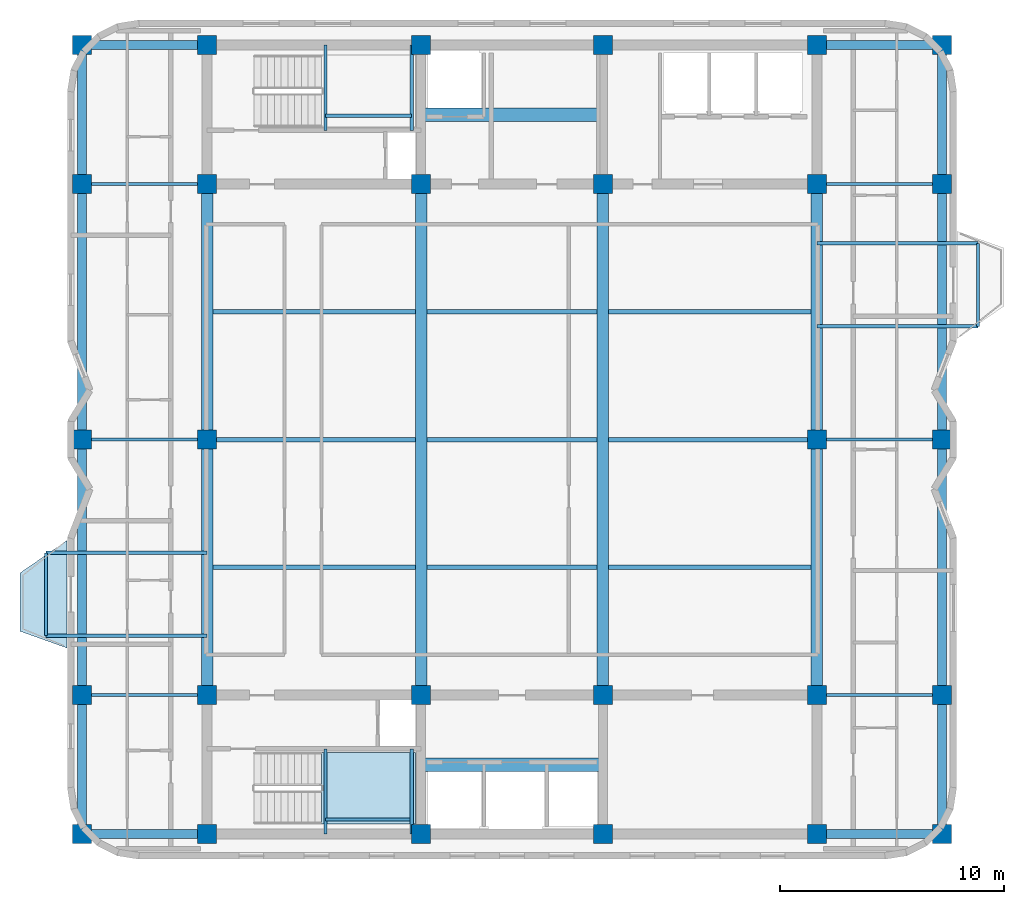
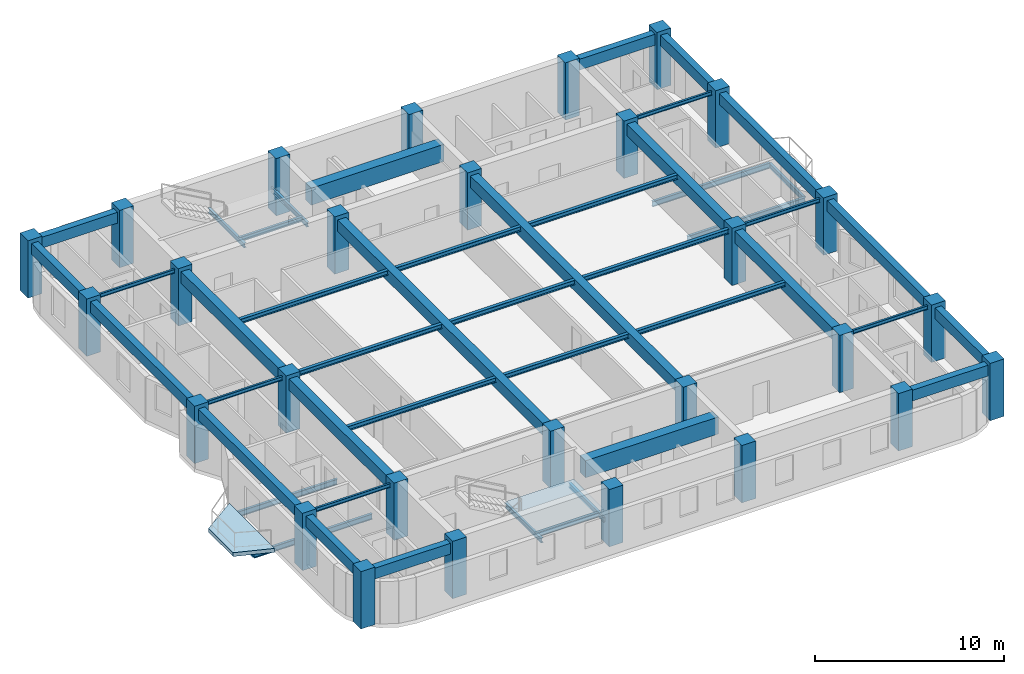
# One storey, part 1 of 8: 47 beams, 28 columns, 2 slabs, 1 element without a shape of its own.
"""IFC4 building model written with IfcOpenShell, lengths in metres."""

from ifc_helpers import new_model, si_unit, direction, frame, origin, origin_2d, place, context, subcontext, project, spatial, polyline, rectangle, i_section, outline, extrude, material, layer, layer_set, material_profile, profile_set, type_object, element, aggregate, save


model = new_model("IFC4")

# Units and contexts
model_context = context("Model", 3, precision=1e-05, world=origin(), true_north=direction((0.0, 1.0)))
body_context = subcontext(model_context, "Body", "Model", "MODEL_VIEW")
ifc_project = project(units=[si_unit("LENGTHUNIT", "METRE"), si_unit("AREAUNIT", "SQUARE_METRE"), si_unit("VOLUMEUNIT", "CUBIC_METRE"), si_unit("PLANEANGLEUNIT", "RADIAN"), si_unit("MASSUNIT", "GRAM", prefix="KILO")], contexts=[model_context])

# Site, building, storey
site_placement = place(None, origin())
site = spatial("IfcSite", under=ifc_project, at=site_placement, CompositionType="ELEMENT")
building_placement = place(site_placement, origin())
building = spatial("IfcBuilding", under=site, at=building_placement, Name="Svetorya Sky Lyceum", CompositionType="ELEMENT")
storey_placement = place(building_placement, frame((0.0, 0.0, 233.199951171875)))
storey = spatial("IfcBuildingStorey", under=building, at=storey_placement, Name="L58", CompositionType="ELEMENT", Elevation=233.199951171875)

# Columns
ifc_material_1 = material(Name="Concrete C50/60", Category="concrete")
ifc_material_profile_1 = material_profile(ifc_material_1, rectangle(XDim=0.85009765625, YDim=0.85009765625, at=origin_2d()), Name="RC COL 850x850")
ifc_profile_set_1 = profile_set([ifc_material_profile_1], Name="Concrete C50/60")
column_type = type_object("IfcColumnType", Name="COL-RC-850", PredefinedType="COLUMN", material=ifc_profile_set_1)
for number, where, z_axis, x_axis, name in (
    (1, (25.60009765625, 10.60009765625, 0.0), (0.0, 0.0, 1.0), (1.0, 0.0, 0.0), "L58 Core Column CS-11"),
    (2, (25.60009765625, 16.800048828125, 0.0), (0.0, 0.0, 1.0), (1.0, 0.0, 0.0), "L58 Core Column CS-12"),
    (3, (35.14990234375, 10.60009765625, 0.0), (0.0, 0.0, 1.0), (1.0, 0.0, 0.0), "L58 Core Column CS-21"),
    (4, (35.14990234375, 16.800048828125, 0.0), (0.0, 0.0, 1.0), (1.0, 0.0, 0.0), "L58 Core Column CS-22"),
    (5, (43.25, 10.60009765625, 0.0), (0.0, 0.0, 1.0), (1.0, 0.0, 0.0), "L58 Core Column CS-31"),
    (6, (43.25, 16.800048828125, 0.0), (0.0, 0.0, 1.0), (1.0, 0.0, 0.0), "L58 Core Column CS-32"),
    (7, (52.800048828125, 10.60009765625, 0.0), (0.0, 0.0, 1.0), (1.0, 0.0, 0.0), "L58 Core Column CS-41"),
    (8, (52.800048828125, 16.800048828125, 0.0), (0.0, 0.0, 1.0), (1.0, 0.0, 0.0), "L58 Core Column CS-42"),
    (9, (25.60009765625, 39.60009765625, 0.0), (0.0, 0.0, 1.0), (1.0, 0.0, 0.0), "L58 Core Column CN-11"),
    (10, (25.60009765625, 45.800048828125, 0.0), (0.0, 0.0, 1.0), (1.0, 0.0, 0.0), "L58 Core Column CN-12"),
    (11, (35.14990234375, 39.60009765625, 0.0), (0.0, 0.0, 1.0), (1.0, 0.0, 0.0), "L58 Core Column CN-21"),
    (12, (35.14990234375, 45.800048828125, 0.0), (0.0, 0.0, 1.0), (1.0, 0.0, 0.0), "L58 Core Column CN-22"),
    (13, (43.25, 39.60009765625, 0.0), (0.0, 0.0, 1.0), (1.0, 0.0, 0.0), "L58 Core Column CN-31"),
    (14, (43.25, 45.800048828125, 0.0), (0.0, 0.0, 1.0), (1.0, 0.0, 0.0), "L58 Core Column CN-32"),
    (15, (52.800048828125, 39.60009765625, 0.0), (0.0, 0.0, 1.0), (1.0, 0.0, 0.0), "L58 Core Column CN-41"),
    (16, (52.800048828125, 45.800048828125, 0.0), (0.0, 0.0, 1.0), (1.0, 0.0, 0.0), "L58 Core Column CN-42"),
    (17, (25.60009765625, 28.199951171875, 0.0), (0.0, 0.0, 1.0), (1.0, 0.0, 0.0), "L58 Core Column CM-W"),
    (18, (52.800048828125, 28.199951171875, 0.0), (0.0, 0.0, 1.0), (1.0, 0.0, 0.0), "L58 Core Column CM-E"),
    (19, (20.010009765625, 10.60009765625, 0.0), (0.0, 0.0, 1.0), (1.0, 0.0, 0.0), "L58 Perimeter Column W1"),
    (20, (58.389892578125, 10.60009765625, 0.0), (0.0, 0.0, 1.0), (1.0, 0.0, 0.0), "L58 Perimeter Column E1"),
    (21, (20.010009765625, 16.800048828125, 0.0), (0.0, 0.0, 1.0), (1.0, 0.0, 0.0), "L58 Perimeter Column W2"),
    (22, (58.389892578125, 16.800048828125, 0.0), (0.0, 0.0, 1.0), (1.0, 0.0, 0.0), "L58 Perimeter Column E2"),
    (23, (20.010009765625, 28.199951171875, 0.0), (0.0, 0.0, 1.0), (1.0, 0.0, 0.0), "L58 Perimeter Column W3"),
    (24, (58.389892578125, 28.199951171875, 0.0), (0.0, 0.0, 1.0), (1.0, 0.0, 0.0), "L58 Perimeter Column E3"),
    (25, (20.010009765625, 39.60009765625, 0.0), (0.0, 0.0, 1.0), (1.0, 0.0, 0.0), "L58 Perimeter Column W4"),
    (26, (58.389892578125, 39.60009765625, 0.0), (0.0, 0.0, 1.0), (1.0, 0.0, 0.0), "L58 Perimeter Column E4"),
    (27, (20.010009765625, 45.800048828125, 0.0), (0.0, 0.0, 1.0), (1.0, 0.0, 0.0), "L58 Perimeter Column W5"),
    (28, (58.389892578125, 45.800048828125, 0.0), (0.0, 0.0, 1.0), (1.0, 0.0, 0.0), "L58 Perimeter Column E5"),
):
    element("IfcColumn", number, at=place(storey_placement, frame(where, z_axis=z_axis, x_axis=x_axis)), inside=storey, type_object=column_type, Name=name, PredefinedType="COLUMN", context=body_context, shape_type="SweptSolid", body=[
        extrude(rectangle(XDim=0.85009765625, YDim=0.85009765625, at=origin_2d()), origin(), (0.0, 0.0, 1.0), 3.699951171875),
    ])

# Beams
ifc_material_2 = material(Name="Concrete C60/75", Category="concrete")
ifc_material_profile_2 = material_profile(ifc_material_2, rectangle(XDim=0.60009765625, YDim=1.10009765625, at=origin_2d()), Name="RC COUPLING 600x1100")
ifc_profile_set_2 = profile_set([ifc_material_profile_2], Name="Concrete C60/75")
beam_type_1 = type_object("IfcBeamType", Name="BM-CPL-1100", PredefinedType="LINTEL", material=ifc_profile_set_2)
for number, where, z_axis, x_axis, name in (
    (29, (35.14990234375, 13.699951171875, 2.900146484375), (1.0, 0.0, 0.0), (0.0, 1.0, 0.0), "L58 SC Core Coupling Beam"),
    (30, (35.14990234375, 42.699951171875, 2.900146484375), (1.0, 0.0, 0.0), (0.0, 1.0, 0.0), "L58 NC Core Coupling Beam"),
):
    element("IfcBeam", number, at=place(storey_placement, frame(where, z_axis=z_axis, x_axis=x_axis)), inside=storey, type_object=beam_type_1, Name=name, PredefinedType="LINTEL", context=body_context, shape_type="SweptSolid", body=[
        extrude(rectangle(XDim=0.60009765625, YDim=1.10009765625, at=origin_2d()), origin(), (0.0, 0.0, 1.0), 8.10009765625),
    ])
ifc_material_profile_3 = material_profile(ifc_material_1, rectangle(XDim=0.5, YDim=0.75, at=origin_2d()), Name="RC BEAM 500x750")
ifc_profile_set_3 = profile_set([ifc_material_profile_3], Name="Concrete C50/60")
beam_type_2 = type_object("IfcBeamType", Name="BM-RC-750", PredefinedType="BEAM", material=ifc_profile_set_3)
beam_1_placement = place(storey_placement, frame((25.60009765625, 16.800048828125, 3.074951171875), z_axis=(0.0, 1.0, 0.0), x_axis=(-1.0, 0.0, 0.0)))
element("IfcBeam", 31, at=beam_1_placement, inside=storey, type_object=beam_type_2, Name="L58 Central Bay Primary Girder CG-1A", PredefinedType="BEAM", context=body_context, shape_type="SweptSolid", body=[
    extrude(rectangle(XDim=0.5, YDim=0.75, at=origin_2d()), origin(), (0.0, 0.0, 1.0), 11.39990234375),
])
beam_2_placement = place(storey_placement, frame((25.60009765625, 28.199951171875, 3.074951171875), z_axis=(0.0, 1.0, 0.0), x_axis=(-1.0, 0.0, 0.0)))
element("IfcBeam", 32, at=beam_2_placement, inside=storey, type_object=beam_type_2, Name="L58 Central Bay Primary Girder CG-1B", PredefinedType="BEAM", context=body_context, shape_type="SweptSolid", body=[
    extrude(rectangle(XDim=0.5, YDim=0.75, at=origin_2d()), origin(), (0.0, 0.0, 1.0), 11.400146484375),
])
for number, where, z_axis, x_axis, name in (
    (33, (35.14990234375, 16.800048828125, 3.074951171875), (0.0, 1.0, 0.0), (-1.0, 0.0, 0.0), "L58 Central Bay Primary Girder CG-2"),
    (34, (43.25, 16.800048828125, 3.074951171875), (0.0, 1.0, 0.0), (-1.0, 0.0, 0.0), "L58 Central Bay Primary Girder CG-3"),
):
    element("IfcBeam", number, at=place(storey_placement, frame(where, z_axis=z_axis, x_axis=x_axis)), inside=storey, type_object=beam_type_2, Name=name, PredefinedType="BEAM", context=body_context, shape_type="SweptSolid", body=[
        extrude(rectangle(XDim=0.5, YDim=0.75, at=origin_2d()), origin(), (0.0, 0.0, 1.0), 22.800048828125),
    ])
beam_3_placement = place(storey_placement, frame((52.800048828125, 16.800048828125, 3.074951171875), z_axis=(0.0, 1.0, 0.0), x_axis=(-1.0, 0.0, 0.0)))
element("IfcBeam", 35, at=beam_3_placement, inside=storey, type_object=beam_type_2, Name="L58 Central Bay Primary Girder CG-4A", PredefinedType="BEAM", context=body_context, shape_type="SweptSolid", body=[
    extrude(rectangle(XDim=0.5, YDim=0.75, at=origin_2d()), origin(), (0.0, 0.0, 1.0), 11.39990234375),
])
beam_4_placement = place(storey_placement, frame((52.800048828125, 28.199951171875, 3.074951171875), z_axis=(0.0, 1.0, 0.0), x_axis=(-1.0, 0.0, 0.0)))
element("IfcBeam", 36, at=beam_4_placement, inside=storey, type_object=beam_type_2, Name="L58 Central Bay Primary Girder CG-4B", PredefinedType="BEAM", context=body_context, shape_type="SweptSolid", body=[
    extrude(rectangle(XDim=0.5, YDim=0.75, at=origin_2d()), origin(), (0.0, 0.0, 1.0), 11.400146484375),
])
ifc_material_profile_4 = material_profile(ifc_material_1, rectangle(XDim=0.39990234375, YDim=0.699951171875, at=origin_2d()), Name="RC SPANDREL 400x700")
ifc_profile_set_4 = profile_set([ifc_material_profile_4], Name="Concrete C50/60")
beam_type_3 = type_object("IfcBeamType", Name="BM-SPN-700", PredefinedType="SPANDREL", material=ifc_profile_set_4)
for number, where, z_axis, x_axis, name in (
    (37, (20.010009765625, 10.60009765625, 3.10009765625), (1.0, 0.0, 0.0), (0.0, 1.0, 0.0), "L58 Tie Spandrel SW"),
    (38, (20.010009765625, 45.800048828125, 3.10009765625), (1.0, 0.0, 0.0), (0.0, 1.0, 0.0), "L58 Tie Spandrel NW"),
):
    element("IfcBeam", number, at=place(storey_placement, frame(where, z_axis=z_axis, x_axis=x_axis)), inside=storey, type_object=beam_type_3, Name=name, PredefinedType="SPANDREL", context=body_context, shape_type="SweptSolid", body=[
        extrude(rectangle(XDim=0.39990234375, YDim=0.699951171875, at=origin_2d()), origin(), (0.0, 0.0, 1.0), 5.590087890625),
    ])
for number, where, z_axis, x_axis, name in (
    (39, (52.800048828125, 10.60009765625, 3.10009765625), (1.0, 0.0, 0.0), (0.0, 1.0, 0.0), "L58 Tie Spandrel SE"),
    (40, (52.800048828125, 45.800048828125, 3.10009765625), (1.0, 0.0, 0.0), (0.0, 1.0, 0.0), "L58 Tie Spandrel NE"),
):
    element("IfcBeam", number, at=place(storey_placement, frame(where, z_axis=z_axis, x_axis=x_axis)), inside=storey, type_object=beam_type_3, Name=name, PredefinedType="SPANDREL", context=body_context, shape_type="SweptSolid", body=[
        extrude(rectangle(XDim=0.39990234375, YDim=0.699951171875, at=origin_2d()), origin(), (0.0, 0.0, 1.0), 5.58984375),
    ])
beam_5_placement = place(storey_placement, frame((20.010009765625, 10.60009765625, 3.10009765625), z_axis=(0.0, 1.0, 0.0), x_axis=(-1.0, 0.0, 0.0)))
element("IfcBeam", 41, at=beam_5_placement, inside=storey, type_object=beam_type_3, Name="L58 West Spandrel 1", PredefinedType="SPANDREL", context=body_context, shape_type="SweptSolid", body=[
    extrude(rectangle(XDim=0.39990234375, YDim=0.699951171875, at=origin_2d()), origin(), (0.0, 0.0, 1.0), 6.199951171875),
])
beam_6_placement = place(storey_placement, frame((20.010009765625, 16.800048828125, 3.10009765625), z_axis=(0.0, 1.0, 0.0), x_axis=(-1.0, 0.0, 0.0)))
element("IfcBeam", 42, at=beam_6_placement, inside=storey, type_object=beam_type_3, Name="L58 West Spandrel 2", PredefinedType="SPANDREL", context=body_context, shape_type="SweptSolid", body=[
    extrude(rectangle(XDim=0.39990234375, YDim=0.699951171875, at=origin_2d()), origin(), (0.0, 0.0, 1.0), 11.39990234375),
])
beam_7_placement = place(storey_placement, frame((20.010009765625, 28.199951171875, 3.10009765625), z_axis=(0.0, 1.0, 0.0), x_axis=(-1.0, 0.0, 0.0)))
element("IfcBeam", 43, at=beam_7_placement, inside=storey, type_object=beam_type_3, Name="L58 West Spandrel 3", PredefinedType="SPANDREL", context=body_context, shape_type="SweptSolid", body=[
    extrude(rectangle(XDim=0.39990234375, YDim=0.699951171875, at=origin_2d()), origin(), (0.0, 0.0, 1.0), 11.400146484375),
])
for number, where, z_axis, x_axis, name in (
    (44, (20.010009765625, 39.60009765625, 3.10009765625), (0.0, 1.0, 0.0), (-1.0, 0.0, 0.0), "L58 West Spandrel 4"),
    (45, (58.389892578125, 10.60009765625, 3.10009765625), (0.0, 1.0, 0.0), (-1.0, 0.0, 0.0), "L58 East Spandrel 1"),
):
    element("IfcBeam", number, at=place(storey_placement, frame(where, z_axis=z_axis, x_axis=x_axis)), inside=storey, type_object=beam_type_3, Name=name, PredefinedType="SPANDREL", context=body_context, shape_type="SweptSolid", body=[
        extrude(rectangle(XDim=0.39990234375, YDim=0.699951171875, at=origin_2d()), origin(), (0.0, 0.0, 1.0), 6.199951171875),
    ])
beam_8_placement = place(storey_placement, frame((58.389892578125, 16.800048828125, 3.10009765625), z_axis=(0.0, 1.0, 0.0), x_axis=(-1.0, 0.0, 0.0)))
element("IfcBeam", 46, at=beam_8_placement, inside=storey, type_object=beam_type_3, Name="L58 East Spandrel 2", PredefinedType="SPANDREL", context=body_context, shape_type="SweptSolid", body=[
    extrude(rectangle(XDim=0.39990234375, YDim=0.699951171875, at=origin_2d()), origin(), (0.0, 0.0, 1.0), 11.39990234375),
])
beam_9_placement = place(storey_placement, frame((58.389892578125, 28.199951171875, 3.10009765625), z_axis=(0.0, 1.0, 0.0), x_axis=(-1.0, 0.0, 0.0)))
element("IfcBeam", 47, at=beam_9_placement, inside=storey, type_object=beam_type_3, Name="L58 East Spandrel 3", PredefinedType="SPANDREL", context=body_context, shape_type="SweptSolid", body=[
    extrude(rectangle(XDim=0.39990234375, YDim=0.699951171875, at=origin_2d()), origin(), (0.0, 0.0, 1.0), 11.400146484375),
])
beam_10_placement = place(storey_placement, frame((58.389892578125, 39.60009765625, 3.10009765625), z_axis=(0.0, 1.0, 0.0), x_axis=(-1.0, 0.0, 0.0)))
element("IfcBeam", 48, at=beam_10_placement, inside=storey, type_object=beam_type_3, Name="L58 East Spandrel 4", PredefinedType="SPANDREL", context=body_context, shape_type="SweptSolid", body=[
    extrude(rectangle(XDim=0.39990234375, YDim=0.699951171875, at=origin_2d()), origin(), (0.0, 0.0, 1.0), 6.199951171875),
])
ifc_material_3 = material(Name="Steel S355", Category="steel")
ifc_material_profile_5 = material_profile(ifc_material_3, i_section(OverallWidth=0.1240234375, OverallDepth=0.248046875, WebThickness=0.006103515625, FlangeThickness=0.009521484375, at=origin_2d()), Name="GOST 25B2")
ifc_profile_set_5 = profile_set([ifc_material_profile_5], Name="Steel S355")
beam_type_4 = type_object("IfcBeamType", Name="BM-STL-25B2", PredefinedType="JOIST", material=ifc_profile_set_5)
beam_11_placement = place(storey_placement, frame((20.010009765625, 16.800048828125, 3.325927734375), z_axis=(1.0, 0.0, 0.0), x_axis=(0.0, 1.0, 0.0)))
element("IfcBeam", 49, at=beam_11_placement, inside=storey, type_object=beam_type_4, Name="L58 West Wing Floor Joist W2", PredefinedType="JOIST", context=body_context, shape_type="SweptSolid", body=[
    extrude(i_section(OverallWidth=0.1240234375, OverallDepth=0.248046875, WebThickness=0.006103515625, FlangeThickness=0.009521484375, at=origin_2d()), origin(), (0.0, 0.0, 1.0), 5.590087890625),
])
beam_12_placement = place(storey_placement, frame((52.800048828125, 16.800048828125, 3.325927734375), z_axis=(1.0, 0.0, 0.0), x_axis=(0.0, 1.0, 0.0)))
element("IfcBeam", 50, at=beam_12_placement, inside=storey, type_object=beam_type_4, Name="L58 East Wing Floor Joist E2", PredefinedType="JOIST", context=body_context, shape_type="SweptSolid", body=[
    extrude(i_section(OverallWidth=0.1240234375, OverallDepth=0.248046875, WebThickness=0.006103515625, FlangeThickness=0.009521484375, at=origin_2d()), origin(), (0.0, 0.0, 1.0), 5.58984375),
])
beam_13_placement = place(storey_placement, frame((20.010009765625, 28.199951171875, 3.325927734375), z_axis=(1.0, 0.0, 0.0), x_axis=(0.0, 1.0, 0.0)))
element("IfcBeam", 51, at=beam_13_placement, inside=storey, type_object=beam_type_4, Name="L58 West Wing Floor Joist W3", PredefinedType="JOIST", context=body_context, shape_type="SweptSolid", body=[
    extrude(i_section(OverallWidth=0.1240234375, OverallDepth=0.248046875, WebThickness=0.006103515625, FlangeThickness=0.009521484375, at=origin_2d()), origin(), (0.0, 0.0, 1.0), 5.590087890625),
])
beam_14_placement = place(storey_placement, frame((52.800048828125, 28.199951171875, 3.325927734375), z_axis=(1.0, 0.0, 0.0), x_axis=(0.0, 1.0, 0.0)))
element("IfcBeam", 52, at=beam_14_placement, inside=storey, type_object=beam_type_4, Name="L58 East Wing Floor Joist E3", PredefinedType="JOIST", context=body_context, shape_type="SweptSolid", body=[
    extrude(i_section(OverallWidth=0.1240234375, OverallDepth=0.248046875, WebThickness=0.006103515625, FlangeThickness=0.009521484375, at=origin_2d()), origin(), (0.0, 0.0, 1.0), 5.58984375),
])
beam_15_placement = place(storey_placement, frame((20.010009765625, 39.60009765625, 3.325927734375), z_axis=(1.0, 0.0, 0.0), x_axis=(0.0, 1.0, 0.0)))
element("IfcBeam", 53, at=beam_15_placement, inside=storey, type_object=beam_type_4, Name="L58 West Wing Floor Joist W4", PredefinedType="JOIST", context=body_context, shape_type="SweptSolid", body=[
    extrude(i_section(OverallWidth=0.1240234375, OverallDepth=0.248046875, WebThickness=0.006103515625, FlangeThickness=0.009521484375, at=origin_2d()), origin(), (0.0, 0.0, 1.0), 5.590087890625),
])
beam_16_placement = place(storey_placement, frame((52.800048828125, 39.60009765625, 3.325927734375), z_axis=(1.0, 0.0, 0.0), x_axis=(0.0, 1.0, 0.0)))
element("IfcBeam", 54, at=beam_16_placement, inside=storey, type_object=beam_type_4, Name="L58 East Wing Floor Joist E4", PredefinedType="JOIST", context=body_context, shape_type="SweptSolid", body=[
    extrude(i_section(OverallWidth=0.1240234375, OverallDepth=0.248046875, WebThickness=0.006103515625, FlangeThickness=0.009521484375, at=origin_2d()), origin(), (0.0, 0.0, 1.0), 5.58984375),
])
ifc_material_profile_6 = material_profile(ifc_material_3, i_section(OverallWidth=0.14990234375, OverallDepth=0.299072265625, WebThickness=0.006591796875, FlangeThickness=0.010498046875, at=origin_2d()), Name="GOST 30B2")
ifc_profile_set_6 = profile_set([ifc_material_profile_6], Name="Steel S355")
beam_type_5 = type_object("IfcBeamType", Name="BM-STL-30B2", PredefinedType="JOIST", material=ifc_profile_set_6)
for number, where, z_axis, x_axis, name in (
    (55, (18.409912109375, 19.449951171875, -0.424560546875), (0.0, 1.0, 0.0), (-1.0, 0.0, 0.0), "L58 Balcony Edge Tie BAL-W1"),
    (56, (59.989990234375, 33.25, -0.424560546875), (0.0, 1.0, 0.0), (-1.0, 0.0, 0.0), "L58 Balcony Edge Tie BAL-E1"),
):
    element("IfcBeam", number, at=place(storey_placement, frame(where, z_axis=z_axis, x_axis=x_axis)), inside=storey, type_object=beam_type_5, Name=name, PredefinedType="JOIST", context=body_context, shape_type="SweptSolid", body=[
        extrude(i_section(OverallWidth=0.14990234375, OverallDepth=0.299072265625, WebThickness=0.006591796875, FlangeThickness=0.010498046875, at=origin_2d()), origin(), (0.0, 0.0, 1.0), 3.699951171875),
    ])
for number, where, z_axis, x_axis, name in (
    (57, (30.8798828125, 10.60009765625, 1.50048828125), (0.0, 1.0, 0.0), (-1.0, 0.0, 0.0), "L58 Stair ST-S Half-Landing Support Beam 66.1"),
    (58, (34.719970703125, 10.60009765625, 1.50048828125), (0.0, 1.0, 0.0), (-1.0, 0.0, 0.0), "L58 Stair ST-S Half-Landing Support Beam 66.2"),
):
    element("IfcBeam", number, at=place(storey_placement, frame(where, z_axis=z_axis, x_axis=x_axis)), inside=storey, type_object=beam_type_5, Name=name, PredefinedType="JOIST", context=body_context, shape_type="SweptSolid", body=[
        extrude(i_section(OverallWidth=0.14990234375, OverallDepth=0.299072265625, WebThickness=0.006591796875, FlangeThickness=0.010498046875, at=origin_2d()), origin(), (0.0, 0.0, 1.0), 3.7998046875),
    ])
beam_17_placement = place(storey_placement, frame((30.8798828125, 11.25, 1.50048828125), z_axis=(1.0, 0.0, 0.0), x_axis=(0.0, 1.0, 0.0)))
element("IfcBeam", 59, at=beam_17_placement, inside=storey, type_object=beam_type_5, Name="L58 Stair ST-S Half-Landing Cross Tie 66", PredefinedType="JOIST", context=body_context, shape_type="SweptSolid", body=[
    extrude(i_section(OverallWidth=0.14990234375, OverallDepth=0.299072265625, WebThickness=0.006591796875, FlangeThickness=0.010498046875, at=origin_2d()), origin(), (0.0, 0.0, 1.0), 3.840087890625),
])
for number, where, z_axis, x_axis, name in (
    (60, (30.8798828125, 42.0, 1.50048828125), (0.0, 1.0, 0.0), (-1.0, 0.0, 0.0), "L58 Stair ST-N Half-Landing Support Beam 66.1"),
    (61, (34.719970703125, 42.0, 1.50048828125), (0.0, 1.0, 0.0), (-1.0, 0.0, 0.0), "L58 Stair ST-N Half-Landing Support Beam 66.2"),
):
    element("IfcBeam", number, at=place(storey_placement, frame(where, z_axis=z_axis, x_axis=x_axis)), inside=storey, type_object=beam_type_5, Name=name, PredefinedType="JOIST", context=body_context, shape_type="SweptSolid", body=[
        extrude(i_section(OverallWidth=0.14990234375, OverallDepth=0.299072265625, WebThickness=0.006591796875, FlangeThickness=0.010498046875, at=origin_2d()), origin(), (0.0, 0.0, 1.0), 3.800048828125),
    ])
beam_18_placement = place(storey_placement, frame((30.8798828125, 42.64990234375, 1.50048828125), z_axis=(1.0, 0.0, 0.0), x_axis=(0.0, 1.0, 0.0)))
element("IfcBeam", 62, at=beam_18_placement, inside=storey, type_object=beam_type_5, Name="L58 Stair ST-N Half-Landing Cross Tie 66", PredefinedType="JOIST", context=body_context, shape_type="SweptSolid", body=[
    extrude(i_section(OverallWidth=0.14990234375, OverallDepth=0.299072265625, WebThickness=0.006591796875, FlangeThickness=0.010498046875, at=origin_2d()), origin(), (0.0, 0.0, 1.0), 3.840087890625),
])
ifc_material_profile_7 = material_profile(ifc_material_3, i_section(OverallWidth=0.199951171875, OverallDepth=0.298095703125, WebThickness=0.008544921875, FlangeThickness=0.012939453125, at=origin_2d()), Name="GOST 30Sh2")
ifc_profile_set_7 = profile_set([ifc_material_profile_7], Name="Steel S355")
beam_type_6 = type_object("IfcBeamType", Name="BM-STL-30SH2", PredefinedType="BEAM", material=ifc_profile_set_7)
beam_19_placement = place(storey_placement, frame((25.85009765625, 22.5, 3.301025390625), z_axis=(1.0, 0.0, 0.0), x_axis=(0.0, 1.0, 0.0)))
element("IfcBeam", 63, at=beam_19_placement, inside=storey, type_object=beam_type_6, Name="L58 Central Floor Joist CJ-1.1", PredefinedType="BEAM", context=body_context, shape_type="SweptSolid", body=[
    extrude(i_section(OverallWidth=0.199951171875, OverallDepth=0.298095703125, WebThickness=0.008544921875, FlangeThickness=0.012939453125, at=origin_2d()), origin(), (0.0, 0.0, 1.0), 9.0498046875),
])
beam_20_placement = place(storey_placement, frame((35.39990234375, 22.5, 3.301025390625), z_axis=(1.0, 0.0, 0.0), x_axis=(0.0, 1.0, 0.0)))
element("IfcBeam", 64, at=beam_20_placement, inside=storey, type_object=beam_type_6, Name="L58 Central Floor Joist CJ-1.2", PredefinedType="BEAM", context=body_context, shape_type="SweptSolid", body=[
    extrude(i_section(OverallWidth=0.199951171875, OverallDepth=0.298095703125, WebThickness=0.008544921875, FlangeThickness=0.012939453125, at=origin_2d()), origin(), (0.0, 0.0, 1.0), 7.60009765625),
])
beam_21_placement = place(storey_placement, frame((43.5, 22.5, 3.301025390625), z_axis=(1.0, 0.0, 0.0), x_axis=(0.0, 1.0, 0.0)))
element("IfcBeam", 65, at=beam_21_placement, inside=storey, type_object=beam_type_6, Name="L58 Central Floor Joist CJ-1.3", PredefinedType="BEAM", context=body_context, shape_type="SweptSolid", body=[
    extrude(i_section(OverallWidth=0.199951171875, OverallDepth=0.298095703125, WebThickness=0.008544921875, FlangeThickness=0.012939453125, at=origin_2d()), origin(), (0.0, 0.0, 1.0), 9.050048828125),
])
beam_22_placement = place(storey_placement, frame((25.85009765625, 28.199951171875, 3.301025390625), z_axis=(1.0, 0.0, 0.0), x_axis=(0.0, 1.0, 0.0)))
element("IfcBeam", 66, at=beam_22_placement, inside=storey, type_object=beam_type_6, Name="L58 Central Floor Joist CJ-2.1", PredefinedType="BEAM", context=body_context, shape_type="SweptSolid", body=[
    extrude(i_section(OverallWidth=0.199951171875, OverallDepth=0.298095703125, WebThickness=0.008544921875, FlangeThickness=0.012939453125, at=origin_2d()), origin(), (0.0, 0.0, 1.0), 9.0498046875),
])
beam_23_placement = place(storey_placement, frame((35.39990234375, 28.199951171875, 3.301025390625), z_axis=(1.0, 0.0, 0.0), x_axis=(0.0, 1.0, 0.0)))
element("IfcBeam", 67, at=beam_23_placement, inside=storey, type_object=beam_type_6, Name="L58 Central Floor Joist CJ-2.2", PredefinedType="BEAM", context=body_context, shape_type="SweptSolid", body=[
    extrude(i_section(OverallWidth=0.199951171875, OverallDepth=0.298095703125, WebThickness=0.008544921875, FlangeThickness=0.012939453125, at=origin_2d()), origin(), (0.0, 0.0, 1.0), 7.60009765625),
])
beam_24_placement = place(storey_placement, frame((43.5, 28.199951171875, 3.301025390625), z_axis=(1.0, 0.0, 0.0), x_axis=(0.0, 1.0, 0.0)))
element("IfcBeam", 68, at=beam_24_placement, inside=storey, type_object=beam_type_6, Name="L58 Central Floor Joist CJ-2.3", PredefinedType="BEAM", context=body_context, shape_type="SweptSolid", body=[
    extrude(i_section(OverallWidth=0.199951171875, OverallDepth=0.298095703125, WebThickness=0.008544921875, FlangeThickness=0.012939453125, at=origin_2d()), origin(), (0.0, 0.0, 1.0), 9.050048828125),
])
beam_25_placement = place(storey_placement, frame((25.85009765625, 33.89990234375, 3.301025390625), z_axis=(1.0, 0.0, 0.0), x_axis=(0.0, 1.0, 0.0)))
element("IfcBeam", 69, at=beam_25_placement, inside=storey, type_object=beam_type_6, Name="L58 Central Floor Joist CJ-3.1", PredefinedType="BEAM", context=body_context, shape_type="SweptSolid", body=[
    extrude(i_section(OverallWidth=0.199951171875, OverallDepth=0.298095703125, WebThickness=0.008544921875, FlangeThickness=0.012939453125, at=origin_2d()), origin(), (0.0, 0.0, 1.0), 9.0498046875),
])
beam_26_placement = place(storey_placement, frame((35.39990234375, 33.89990234375, 3.301025390625), z_axis=(1.0, 0.0, 0.0), x_axis=(0.0, 1.0, 0.0)))
element("IfcBeam", 70, at=beam_26_placement, inside=storey, type_object=beam_type_6, Name="L58 Central Floor Joist CJ-3.2", PredefinedType="BEAM", context=body_context, shape_type="SweptSolid", body=[
    extrude(i_section(OverallWidth=0.199951171875, OverallDepth=0.298095703125, WebThickness=0.008544921875, FlangeThickness=0.012939453125, at=origin_2d()), origin(), (0.0, 0.0, 1.0), 7.60009765625),
])
beam_27_placement = place(storey_placement, frame((43.5, 33.89990234375, 3.301025390625), z_axis=(1.0, 0.0, 0.0), x_axis=(0.0, 1.0, 0.0)))
element("IfcBeam", 71, at=beam_27_placement, inside=storey, type_object=beam_type_6, Name="L58 Central Floor Joist CJ-3.3", PredefinedType="BEAM", context=body_context, shape_type="SweptSolid", body=[
    extrude(i_section(OverallWidth=0.199951171875, OverallDepth=0.298095703125, WebThickness=0.008544921875, FlangeThickness=0.012939453125, at=origin_2d()), origin(), (0.0, 0.0, 1.0), 9.050048828125),
])
ifc_material_profile_8 = material_profile(ifc_material_3, i_section(OverallWidth=0.155029296875, OverallDepth=0.34912109375, WebThickness=0.007080078125, FlangeThickness=0.011474609375, at=origin_2d()), Name="GOST 35B2")
ifc_profile_set_8 = profile_set([ifc_material_profile_8], Name="Steel S355")
beam_type_7 = type_object("IfcBeamType", Name="BM-STL-35B2", PredefinedType="JOIST", material=ifc_profile_set_8)
for number, where, z_axis, x_axis, name in (
    (72, (25.60009765625, 19.449951171875, -0.424560546875), (-1.0, 0.0, 0.0), (0.0, -1.0, 0.0), "L58 Balcony Cantilever Beam BAL-W1-1"),
    (73, (25.60009765625, 23.14990234375, -0.424560546875), (-1.0, 0.0, 0.0), (0.0, -1.0, 0.0), "L58 Balcony Cantilever Beam BAL-W1-2"),
):
    element("IfcBeam", number, at=place(storey_placement, frame(where, z_axis=z_axis, x_axis=x_axis)), inside=storey, type_object=beam_type_7, Name=name, PredefinedType="JOIST", context=body_context, shape_type="SweptSolid", body=[
        extrude(i_section(OverallWidth=0.155029296875, OverallDepth=0.34912109375, WebThickness=0.007080078125, FlangeThickness=0.011474609375, at=origin_2d()), origin(), (0.0, 0.0, 1.0), 7.190185546875),
    ])
for number, where, z_axis, x_axis, name in (
    (74, (52.800048828125, 33.25, -0.424560546875), (1.0, 0.0, 0.0), (0.0, 1.0, 0.0), "L58 Balcony Cantilever Beam BAL-E1-1"),
    (75, (52.800048828125, 36.949951171875, -0.424560546875), (1.0, 0.0, 0.0), (0.0, 1.0, 0.0), "L58 Balcony Cantilever Beam BAL-E1-2"),
):
    element("IfcBeam", number, at=place(storey_placement, frame(where, z_axis=z_axis, x_axis=x_axis)), inside=storey, type_object=beam_type_7, Name=name, PredefinedType="JOIST", context=body_context, shape_type="SweptSolid", body=[
        extrude(i_section(OverallWidth=0.155029296875, OverallDepth=0.34912109375, WebThickness=0.007080078125, FlangeThickness=0.011474609375, at=origin_2d()), origin(), (0.0, 0.0, 1.0), 7.18994140625),
    ])

# Slab
ifc_material_4 = material(Name="Concrete C40/50", Category="concrete")
ifc_layer_1 = layer(ifc_material_4, 0.25)
ifc_layer_set_1 = layer_set([ifc_layer_1], Name="Concrete C40/50")
slab_type_1 = type_object("IfcSlabType", Name="SL-BAL-250", PredefinedType="FLOOR", material=ifc_layer_set_1)
slab_1_placement = place(storey_placement, frame((0.0, 0.0, -0.25)))
element("IfcSlab", 76, at=slab_1_placement, inside=storey, type_object=slab_type_1, Name="L58 Chamfered Loggia Balcony BAL-W1", PredefinedType="FLOOR", context=body_context, shape_type="SweptSolid", body=[
    extrude(outline(polyline([(19.35009765625, 18.89990234375), (19.35009765625, 23.699951171875), (17.25, 22.25), (17.25, 19.64990234375), (19.35009765625, 18.89990234375)])), origin(), (0.0, 0.0, 1.0), 0.25),
])

# Stair, slab
stair_type = type_object("IfcStairType", Name="STR-ST-S", PredefinedType="HALF_TURN_STAIR", material=ifc_material_4)
stair_placement = place(storey_placement, origin())
stair = element("IfcStair", 77, at=stair_placement, inside=storey, type_object=stair_type, Name="L58 South Core Smoke-Free Exit Stair N2", PredefinedType="HALF_TURN_STAIR")
ifc_layer_2 = layer(ifc_material_4, 0.199951171875)
ifc_layer_set_2 = layer_set([ifc_layer_2], Name="Concrete C40/50")
slab_type_2 = type_object("IfcSlabType", Name="SL-STR-LAND-200", PredefinedType="LANDING", material=ifc_layer_set_2)
slab_2_placement = place(storey_placement, frame((0.0, 0.0, 1.650146484375)))
slab_2 = element("IfcSlab", 78, at=slab_2_placement, type_object=slab_type_2, Name="ST-S landing 1", PredefinedType="LANDING", context=body_context, shape_type="SweptSolid", body=[
    extrude(outline(polyline([(30.699951171875, 11.050048828125), (34.89990234375, 11.050048828125), (34.89990234375, 14.25), (30.699951171875, 14.25), (30.699951171875, 11.050048828125)])), origin(), (0.0, 0.0, 1.0), 0.199951171875),
])
aggregate(stair, [slab_2])

save(model, "model.ifc")
